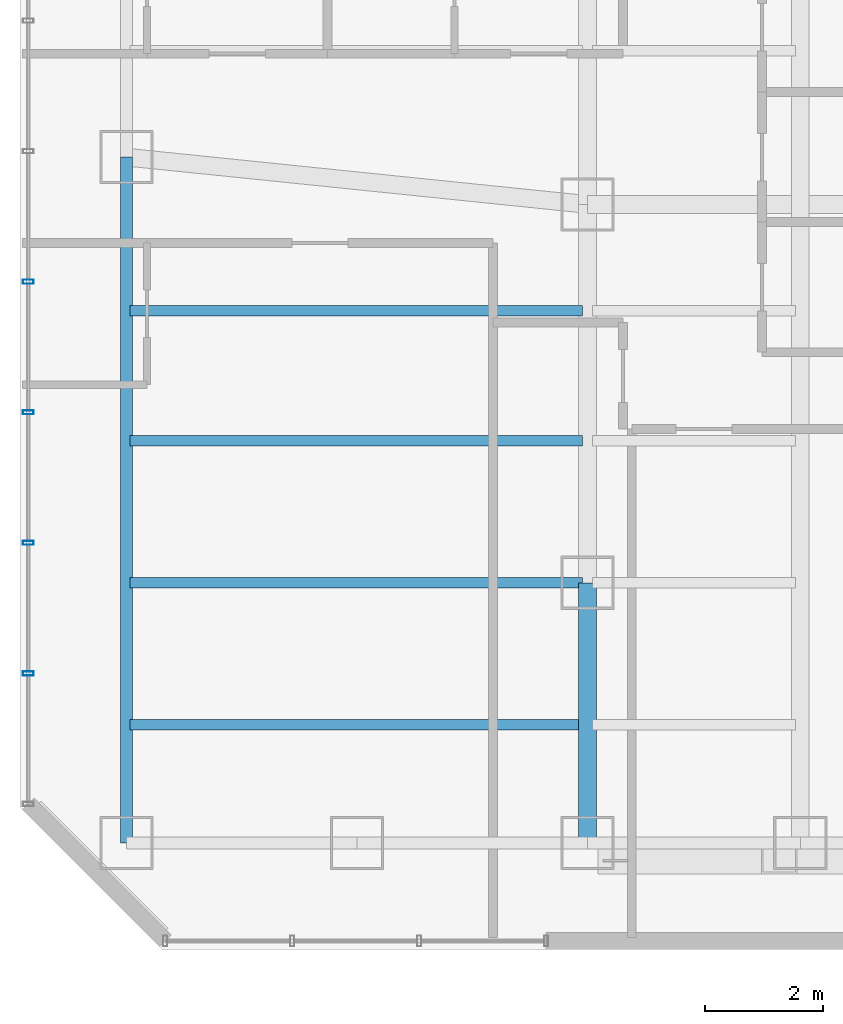
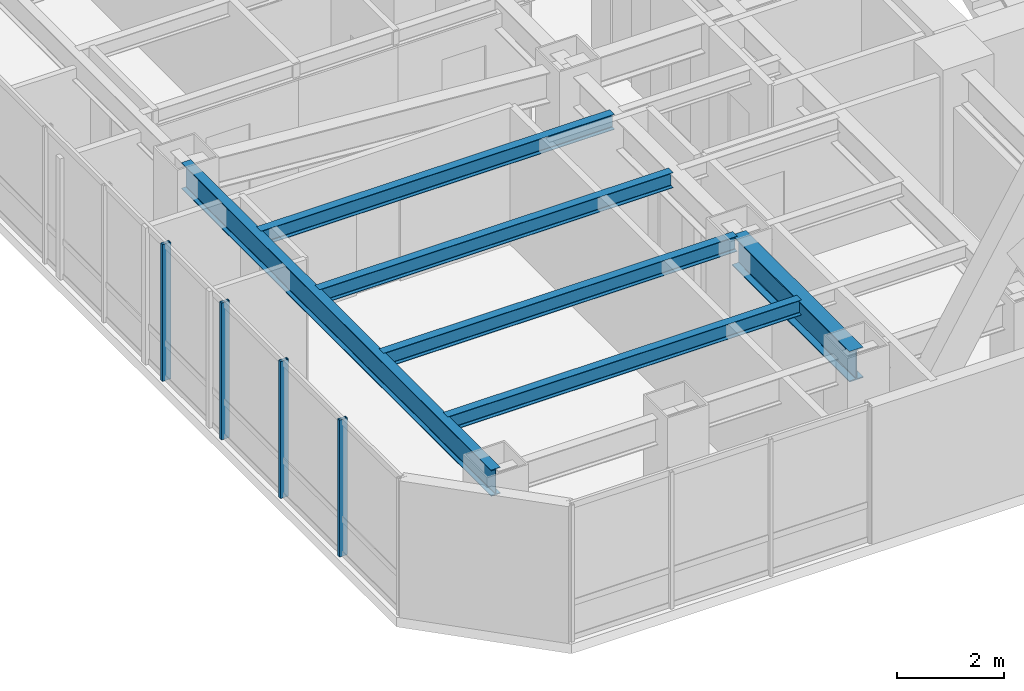
# One storey, part 4 of 30: 6 beams, 4 members, 1 element without a shape of its own.
"""IFC4 building model written with IfcOpenShell, lengths in metres."""

from ifc_helpers import new_model, si_unit, direction, frame, origin, origin_2d, place, context, subcontext, project, spatial, hollow_rectangle, i_section, extrude, material, layer, layer_set, material_profile, profile_set, type_object, element, aggregate, save


model = new_model("IFC4")

# Units and contexts
model_context = context("Model", 3, precision=1e-05, world=origin(), true_north=direction((0.0, 1.0)))
body_context = subcontext(model_context, "Body", "Model", "MODEL_VIEW")
ifc_project = project(units=[si_unit("LENGTHUNIT", "METRE"), si_unit("AREAUNIT", "SQUARE_METRE"), si_unit("VOLUMEUNIT", "CUBIC_METRE"), si_unit("PLANEANGLEUNIT", "RADIAN"), si_unit("MASSUNIT", "GRAM", prefix="KILO")], contexts=[model_context])

# Site, building, storey
site_placement = place(None, origin())
site = spatial("IfcSite", under=ifc_project, at=site_placement, CompositionType="ELEMENT")
building_placement = place(site_placement, origin())
building = spatial("IfcBuilding", under=site, at=building_placement, Name="Hatsunagi Terrace Concourse", CompositionType="ELEMENT")
storey_placement = place(building_placement, frame((0.0, 0.0, 74.60009765625)))
storey = spatial("IfcBuildingStorey", under=building, at=storey_placement, Name="L19", CompositionType="ELEMENT", Elevation=74.60009765625)

# Curtain wall, members
ifc_material_1 = material(Name="Anodised Aluminium Alloy 6063-T5", Category="aluminium")
ifc_layer = layer(ifc_material_1, 0.199951171875)
ifc_layer_set = layer_set([ifc_layer], Name="HotelFacade_CW02")
curtain_wall_type = type_object("IfcCurtainWallType", Name="HotelFacade_CW02", PredefinedType="NOTDEFINED", material=ifc_layer_set)
curtain_wall_placement = place(storey_placement, origin())
curtain_wall = element("IfcCurtainWall", 1, at=curtain_wall_placement, inside=storey, type_object=curtain_wall_type, Name="Unitised Curtain Wall CW-02 CW-L19-09", PredefinedType="NOTDEFINED")
ifc_material_2 = material(Name="Anodised Aluminium Alloy 6063-T5", Category="aluminium")
ifc_material_profile_1 = material_profile(ifc_material_2, hollow_rectangle(XDim=0.070068359375, YDim=0.179931640625, WallThickness=0.00390625, at=origin_2d()), Name="ALU-MUL-180x70x4")
ifc_profile_set_1 = profile_set([ifc_material_profile_1], Name="Anodised Aluminium Alloy 6063-T5")
member_type = type_object("IfcMemberType", Name="CurtainWallMullion_180x70", PredefinedType="MULLION", material=ifc_profile_set_1)
member_1_placement = place(storey_placement, frame((9.739990234375, 28.06591796875, 0.0), z_axis=(0.0, 0.0, 1.0), x_axis=(0.0, 1.0, 0.0)))
member_1 = element("IfcMember", 2, at=member_1_placement, type_object=member_type, Name="Curtain Wall Mullion MUL-02", PredefinedType="MULLION", context=body_context, shape_type="SweptSolid", body=[
    extrude(hollow_rectangle(XDim=0.070068359375, YDim=0.179931640625, WallThickness=0.00390625, at=origin_2d()), origin(), (0.0, 0.0, 1.0), 3.1298828125),
])
member_2_placement = place(storey_placement, frame((9.739990234375, 30.27490234375, 0.0), z_axis=(0.0, 0.0, 1.0), x_axis=(0.0, 1.0, 0.0)))
member_2 = element("IfcMember", 3, at=member_2_placement, type_object=member_type, Name="Curtain Wall Mullion MUL-02", PredefinedType="MULLION", context=body_context, shape_type="SweptSolid", body=[
    extrude(hollow_rectangle(XDim=0.070068359375, YDim=0.179931640625, WallThickness=0.00390625, at=origin_2d()), origin(), (0.0, 0.0, 1.0), 3.1298828125),
])
member_3_placement = place(storey_placement, frame((9.739990234375, 32.48291015625, 0.0), z_axis=(0.0, 0.0, 1.0), x_axis=(0.0, 1.0, 0.0)))
member_3 = element("IfcMember", 4, at=member_3_placement, type_object=member_type, Name="Curtain Wall Mullion MUL-02", PredefinedType="MULLION", context=body_context, shape_type="SweptSolid", body=[
    extrude(hollow_rectangle(XDim=0.070068359375, YDim=0.179931640625, WallThickness=0.00390625, at=origin_2d()), origin(), (0.0, 0.0, 1.0), 3.1298828125),
])
member_4_placement = place(storey_placement, frame((9.739990234375, 34.69189453125, 0.0), z_axis=(0.0, 0.0, 1.0), x_axis=(0.0, 1.0, 0.0)))
member_4 = element("IfcMember", 5, at=member_4_placement, type_object=member_type, Name="Curtain Wall Mullion MUL-02", PredefinedType="MULLION", context=body_context, shape_type="SweptSolid", body=[
    extrude(hollow_rectangle(XDim=0.070068359375, YDim=0.179931640625, WallThickness=0.00390625, at=origin_2d()), origin(), (0.0, 0.0, 1.0), 3.1298828125),
])
aggregate(curtain_wall, [member_1, member_2, member_3, member_4])

# Beams
ifc_material_3 = material(Name="Steel SN490B", Category="steel")
ifc_material_profile_2 = material_profile(ifc_material_3, i_section(OverallWidth=0.300048828125, OverallDepth=0.699951171875, WebThickness=0.012939453125, FlangeThickness=0.02392578125, FilletRadius=0.02197265625, at=origin_2d()), Name="H-700x300x13x24")
ifc_profile_set_2 = profile_set([ifc_material_profile_2], Name="Steel SN490B")
beam_type_1 = type_object("IfcBeamType", Name="HotelFloorGirder_H_700x300", PredefinedType="BEAM", material=ifc_profile_set_2)
beam_1_placement = place(storey_placement, frame((19.199951171875, 25.199951171875, 2.77978515625), z_axis=(0.0, 1.0, 0.0), x_axis=(-1.0, 0.0, 0.0)))
element("IfcBeam", 6, at=beam_1_placement, inside=storey, type_object=beam_type_1, Name="Beam G-04 BM-L19-NS-19-25", PredefinedType="BEAM", context=body_context, shape_type="SweptSolid", body=[
    extrude(i_section(OverallWidth=0.300048828125, OverallDepth=0.699951171875, WebThickness=0.012939453125, FlangeThickness=0.02392578125, FilletRadius=0.02197265625, at=origin_2d()), origin(), (0.0, 0.0, 1.0), 4.400146484375),
])
ifc_material_4 = material(Name="Steel SN490B", Category="steel")
ifc_material_profile_3 = material_profile(ifc_material_4, i_section(OverallWidth=0.175048828125, OverallDepth=0.35009765625, WebThickness=0.007080078125, FlangeThickness=0.010986328125, FilletRadius=0.012939453125, at=origin_2d()), Name="H-350x175x7x11")
ifc_profile_set_3 = profile_set([ifc_material_profile_3], Name="Steel SN490B")
beam_type_2 = type_object("IfcBeamType", Name="HotelJoist_H_350x175", PredefinedType="JOIST", material=ifc_profile_set_3)
for number, where, z_axis, x_axis, name in (
    (7, (11.465087890625, 27.199951171875, 2.954833984375), (1.0, 0.0, 0.0), (0.0, 1.0, 0.0), "Beam J-02 J-L19-W-11-272"),
    (8, (11.465087890625, 29.60009765625, 2.954833984375), (1.0, 0.0, 0.0), (0.0, 1.0, 0.0), "Beam J-02 J-L19-W-11-296"),
    (9, (11.465087890625, 32.0, 2.954833984375), (1.0, 0.0, 0.0), (0.0, 1.0, 0.0), "Beam J-02 J-L19-W-11-320"),
    (10, (11.465087890625, 34.199951171875, 2.954833984375), (1.0, 0.0, 0.0), (0.0, 1.0, 0.0), "Beam J-02 J-L19-W-11-342"),
):
    element("IfcBeam", number, at=place(storey_placement, frame(where, z_axis=z_axis, x_axis=x_axis)), inside=storey, type_object=beam_type_2, Name=name, PredefinedType="JOIST", context=body_context, shape_type="SweptSolid", body=[
        extrude(i_section(OverallWidth=0.175048828125, OverallDepth=0.35009765625, WebThickness=0.007080078125, FlangeThickness=0.010986328125, FilletRadius=0.012939453125, at=origin_2d()), origin(), (0.0, 0.0, 1.0), 7.64990234375),
    ])
ifc_material_5 = material(Name="Steel SN490B", Category="steel")
ifc_material_profile_4 = material_profile(ifc_material_5, i_section(OverallWidth=0.199951171875, OverallDepth=0.60009765625, WebThickness=0.010986328125, FlangeThickness=0.01708984375, FilletRadius=0.01806640625, at=origin_2d()), Name="H-600x200x11x17")
ifc_profile_set_4 = profile_set([ifc_material_profile_4], Name="Steel SN490B")
beam_type_3 = type_object("IfcBeamType", Name="PerimeterSpandrel_H_600x200", PredefinedType="SPANDREL", material=ifc_profile_set_4)
beam_2_placement = place(storey_placement, frame((11.39990234375, 25.199951171875, 2.829833984375), z_axis=(0.0, 1.0, 0.0), x_axis=(-1.0, 0.0, 0.0)))
element("IfcBeam", 11, at=beam_2_placement, inside=storey, type_object=beam_type_3, Name="Beam SP-01 BM-L19-NS-11-25", PredefinedType="SPANDREL", context=body_context, shape_type="SweptSolid", body=[
    extrude(i_section(OverallWidth=0.199951171875, OverallDepth=0.60009765625, WebThickness=0.010986328125, FlangeThickness=0.01708984375, FilletRadius=0.01806640625, at=origin_2d()), origin(), (0.0, 0.0, 1.0), 11.60009765625),
])

save(model, "model.ifc")
